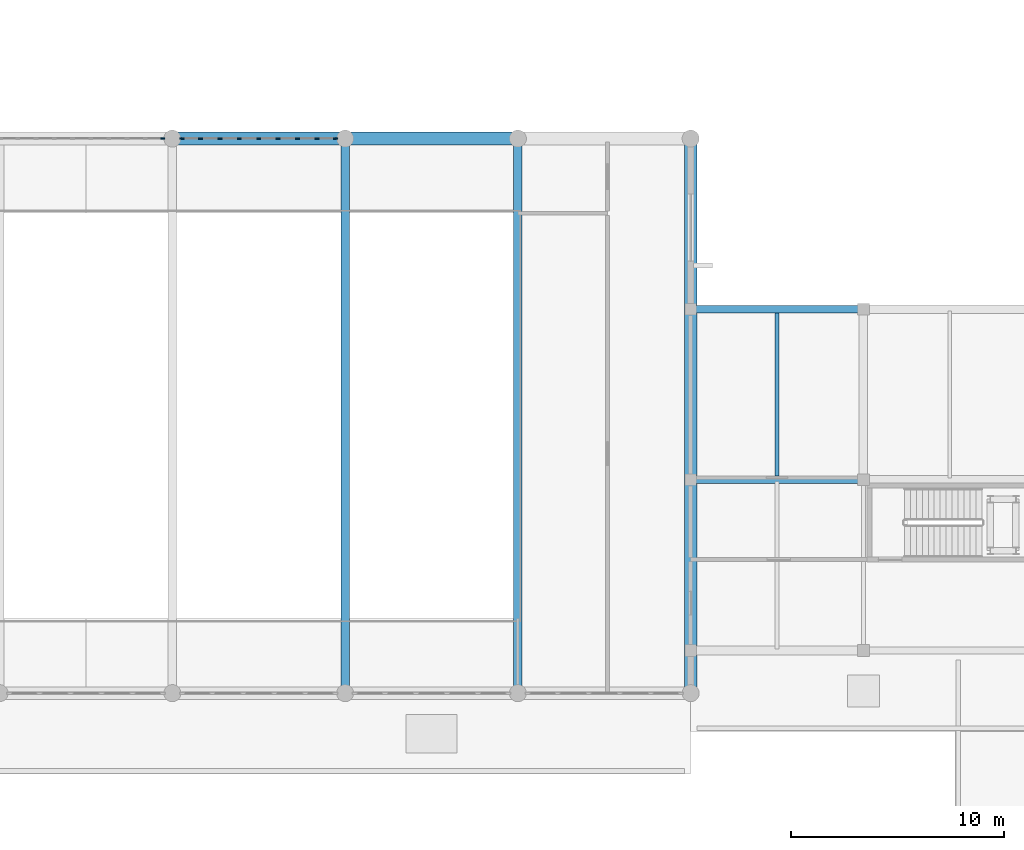
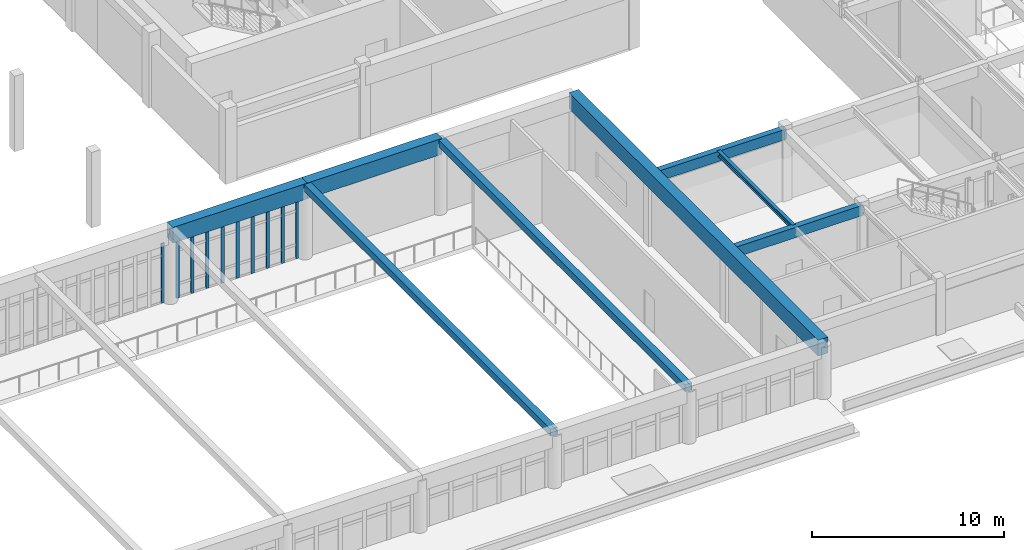
# One storey, part 10 of 61: 10 members, 8 beams, 2 elements without a shape of their own.
"""IFC4 building model written with IfcOpenShell, lengths in metres."""

from ifc_helpers import new_model, si_unit, direction, frame, origin, origin_2d, place, context, subcontext, project, spatial, rectangle, i_section, extrude, material, material_profile, profile_set, type_object, element, aggregate, save


model = new_model("IFC4")

# Units and contexts
model_context = context("Model", 3, precision=1e-05, world=origin(), true_north=direction((0.0, 1.0)))
body_context = subcontext(model_context, "Body", "Model", "MODEL_VIEW")
ifc_project = project(units=[si_unit("LENGTHUNIT", "METRE"), si_unit("AREAUNIT", "SQUARE_METRE"), si_unit("VOLUMEUNIT", "CUBIC_METRE"), si_unit("PLANEANGLEUNIT", "RADIAN"), si_unit("MASSUNIT", "GRAM", prefix="KILO")], contexts=[model_context])

# Site, building, storey
site_placement = place(None, origin())
site = spatial("IfcSite", under=ifc_project, at=site_placement, CompositionType="ELEMENT")
building_placement = place(site_placement, origin())
building = spatial("IfcBuilding", under=site, at=building_placement, Name="Tarnveldt Square Police Headquarters", CompositionType="ELEMENT")
storey_placement = place(building_placement, frame((0.0, 0.0, 5.39990234375)))
storey = spatial("IfcBuildingStorey", under=building, at=storey_placement, Name="L01", CompositionType="ELEMENT", Elevation=5.39990234375)

# Beams
ifc_material_1 = material(Name="Concrete 50 MPa", Category="concrete")
ifc_material_profile_1 = material_profile(ifc_material_1, rectangle(XDim=0.60009765625, YDim=1.0, at=origin_2d()), Name="RC-B600x1000")
ifc_profile_set_1 = profile_set([ifc_material_profile_1], Name="Concrete 50 MPa")
beam_type_1 = type_object("IfcBeamType", Name="BM-RC600x1000", PredefinedType="BEAM", material=ifc_profile_set_1)
beam_1_placement = place(storey_placement, frame((97.199951171875, 48.0, 4.300048828125), z_axis=(1.0, 0.0, 0.0), x_axis=(0.0, 1.0, 0.0)))
element("IfcBeam", 1, at=beam_1_placement, inside=storey, type_object=beam_type_1, Name="Public Entrance Hall Springing Edge Ring Beam N5", PredefinedType="BEAM", context=body_context, shape_type="SweptSolid", body=[
    extrude(rectangle(XDim=0.60009765625, YDim=1.0, at=origin_2d()), origin(), (0.0, 0.0, 1.0), 8.10009765625),
])
beam_2_placement = place(storey_placement, frame((105.300048828125, 48.0, 4.300048828125), z_axis=(1.0, 0.0, 0.0), x_axis=(0.0, 1.0, 0.0)))
element("IfcBeam", 2, at=beam_2_placement, inside=storey, type_object=beam_type_1, Name="Public Entrance Hall Springing Edge Ring Beam N6", PredefinedType="BEAM", context=body_context, shape_type="SweptSolid", body=[
    extrude(rectangle(XDim=0.60009765625, YDim=1.0, at=origin_2d()), origin(), (0.0, 0.0, 1.0), 8.099853515625),
])
beam_3_placement = place(storey_placement, frame((121.5, 22.0, 4.300048828125), z_axis=(0.0, 1.0, 0.0), x_axis=(-1.0, 0.0, 0.0)))
element("IfcBeam", 3, at=beam_3_placement, inside=storey, type_object=beam_type_1, Name="Public Entrance Hall Transverse End Ring Beam E", PredefinedType="BEAM", context=body_context, shape_type="SweptSolid", body=[
    extrude(rectangle(XDim=0.60009765625, YDim=1.0, at=origin_2d()), origin(), (0.0, 0.0, 1.0), 26.0),
])
ifc_material_2 = material(Name="Concrete 40 MPa", Category="concrete")
ifc_material_profile_2 = material_profile(ifc_material_2, rectangle(XDim=0.35009765625, YDim=0.64990234375, at=origin_2d()), Name="RC-SP350x650")
ifc_profile_set_2 = profile_set([ifc_material_profile_2], Name="Concrete 40 MPa")
beam_type_2 = type_object("IfcBeamType", Name="BM-SP350x650", PredefinedType="SPANDREL", material=ifc_profile_set_2)
for number, where, z_axis, x_axis, name in (
    (4, (121.5, 32.0, 4.195068359375), (1.0, 0.0, 0.0), (0.0, 1.0, 0.0), "L02 Grid Girder X-0484"),
    (5, (121.5, 40.0, 4.195068359375), (1.0, 0.0, 0.0), (0.0, 1.0, 0.0), "L02 Grid Girder X-0499"),
):
    element("IfcBeam", number, at=place(storey_placement, frame(where, z_axis=z_axis, x_axis=x_axis)), inside=storey, type_object=beam_type_2, Name=name, PredefinedType="SPANDREL", context=body_context, shape_type="SweptSolid", body=[
        extrude(rectangle(XDim=0.35009765625, YDim=0.64990234375, at=origin_2d()), origin(), (0.0, 0.0, 1.0), 8.10009765625),
    ])
ifc_material_profile_3 = material_profile(ifc_material_2, rectangle(XDim=0.39990234375, YDim=0.449951171875, at=origin_2d()), Name="RC-TIE400x450")
ifc_profile_set_3 = profile_set([ifc_material_profile_3], Name="Concrete 40 MPa")
beam_type_3 = type_object("IfcBeamType", Name="BM-TIE400x450", PredefinedType="USERDEFINED", material=ifc_profile_set_3)
for number, where, z_axis, x_axis, name in (
    (6, (105.300048828125, 22.0, 4.550048828125), (0.0, 1.0, 0.0), (-1.0, 0.0, 0.0), "Public Entrance Hall Vault Springing Tie Beam 6"),
    (7, (113.39990234375, 22.0, 4.550048828125), (0.0, 1.0, 0.0), (-1.0, 0.0, 0.0), "Public Entrance Hall Vault Springing Tie Beam 7"),
):
    element("IfcBeam", number, at=place(storey_placement, frame(where, z_axis=z_axis, x_axis=x_axis)), inside=storey, type_object=beam_type_3, Name=name, ObjectType="TIE BEAM", PredefinedType="USERDEFINED", context=body_context, shape_type="SweptSolid", body=[
        extrude(rectangle(XDim=0.39990234375, YDim=0.449951171875, at=origin_2d()), origin(), (0.0, 0.0, 1.0), 26.0),
    ])
ifc_material_3 = material(Name="Steel 350W", Category="steel")
ifc_material_profile_4 = material_profile(ifc_material_3, i_section(OverallWidth=0.202880859375, OverallDepth=0.302978515625, WebThickness=0.007568359375, FlangeThickness=0.01318359375, FilletRadius=0.014892578125, at=origin_2d()), Name="W310x60")
ifc_profile_set_4 = profile_set([ifc_material_profile_4], Name="Steel 350W")
beam_type_4 = type_object("IfcBeamType", Name="BM-W310x60", PredefinedType="JOIST", material=ifc_profile_set_4)
beam_4_placement = place(storey_placement, frame((125.550048828125, 32.080078125, 4.36865234375), z_axis=(0.0, 1.0, 0.0), x_axis=(-1.0, 0.0, 0.0)))
element("IfcBeam", 8, at=beam_4_placement, inside=storey, type_object=beam_type_4, Name="L02 Secondary Floor Joist 0108", PredefinedType="JOIST", context=body_context, shape_type="SweptSolid", body=[
    extrude(i_section(OverallWidth=0.202880859375, OverallDepth=0.302978515625, WebThickness=0.007568359375, FlangeThickness=0.01318359375, FilletRadius=0.014892578125, at=origin_2d()), origin(), (0.0, 0.0, 1.0), 7.83984375),
])

# Curtain wall, member
ifc_material_4 = material(Name="Triple-glazed low-e laminated vision glass", Category="glass")
curtain_wall_type_1 = type_object("IfcCurtainWallType", Name="CW-CT-769x379", PredefinedType="USERDEFINED", material=ifc_material_4)
curtain_wall_1_placement = place(storey_placement, origin())
curtain_wall_1 = element("IfcCurtainWall", 9, at=curtain_wall_1_placement, inside=storey, type_object=curtain_wall_type_1, Name="L01 Curtain Wall CW-L01-021", ObjectType="GLAZED CURTAIN WALL", PredefinedType="USERDEFINED")
ifc_material_5 = material(Name="Thermally broken anodised aluminium 6063-T6", Category="aluminium")
ifc_material_profile_5 = material_profile(ifc_material_5, rectangle(XDim=0.074951171875, YDim=0.199951171875, at=origin_2d()), Name="CW-M75x200")
ifc_profile_set_5 = profile_set([ifc_material_profile_5], Name="Thermally broken anodised aluminium 6063-T6")
member_type = type_object("IfcMemberType", Name="CWM-75x200", PredefinedType="MULLION", material=ifc_profile_set_5)
member_1_placement = place(storey_placement, frame((96.74755859375, 48.0, 0.0), z_axis=(0.0, 0.0, 1.0), x_axis=(0.0, 1.0, 0.0)))
member_1 = element("IfcMember", 10, at=member_1_placement, type_object=member_type, Name="CW-CT11 mullion 10", PredefinedType="MULLION", context=body_context, shape_type="SweptSolid", body=[
    extrude(rectangle(XDim=0.074951171875, YDim=0.199951171875, at=origin_2d()), origin(), (0.0, 0.0, 1.0), 3.7919921875),
])
aggregate(curtain_wall_1, [member_1])

# Curtain wall, members
curtain_wall_type_2 = type_object("IfcCurtainWallType", Name="CW-CT-727x379", PredefinedType="USERDEFINED", material=ifc_material_4)
curtain_wall_2_placement = place(storey_placement, origin())
curtain_wall_2 = element("IfcCurtainWall", 11, at=curtain_wall_2_placement, inside=storey, type_object=curtain_wall_type_2, Name="L01 Curtain Wall CW-L01-022", ObjectType="GLAZED CURTAIN WALL", PredefinedType="USERDEFINED")
member_2_placement = place(storey_placement, frame((97.652587890625, 48.0, 0.0), z_axis=(0.0, 0.0, 1.0), x_axis=(0.0, 1.0, 0.0)))
member_2 = element("IfcMember", 12, at=member_2_placement, type_object=member_type, Name="CW-CT09 mullion 1", PredefinedType="MULLION", context=body_context, shape_type="SweptSolid", body=[
    extrude(rectangle(XDim=0.074951171875, YDim=0.199951171875, at=origin_2d()), origin(), (0.0, 0.0, 1.0), 3.7919921875),
])
member_3_placement = place(storey_placement, frame((98.523681640625, 48.0, 0.0), z_axis=(0.0, 0.0, 1.0), x_axis=(0.0, 1.0, 0.0)))
member_3 = element("IfcMember", 13, at=member_3_placement, type_object=member_type, Name="CW-CT09 mullion 2", PredefinedType="MULLION", context=body_context, shape_type="SweptSolid", body=[
    extrude(rectangle(XDim=0.074951171875, YDim=0.199951171875, at=origin_2d()), origin(), (0.0, 0.0, 1.0), 3.7919921875),
])
member_4_placement = place(storey_placement, frame((99.4326171875, 48.0, 0.0), z_axis=(0.0, 0.0, 1.0), x_axis=(0.0, 1.0, 0.0)))
member_4 = element("IfcMember", 14, at=member_4_placement, type_object=member_type, Name="CW-CT09 mullion 3", PredefinedType="MULLION", context=body_context, shape_type="SweptSolid", body=[
    extrude(rectangle(XDim=0.074951171875, YDim=0.199951171875, at=origin_2d()), origin(), (0.0, 0.0, 1.0), 3.7919921875),
])
member_5_placement = place(storey_placement, frame((100.34130859375, 48.0, 0.0), z_axis=(0.0, 0.0, 1.0), x_axis=(0.0, 1.0, 0.0)))
member_5 = element("IfcMember", 15, at=member_5_placement, type_object=member_type, Name="CW-CT09 mullion 4", PredefinedType="MULLION", context=body_context, shape_type="SweptSolid", body=[
    extrude(rectangle(XDim=0.074951171875, YDim=0.199951171875, at=origin_2d()), origin(), (0.0, 0.0, 1.0), 3.7919921875),
])
member_6_placement = place(storey_placement, frame((101.25, 48.0, 0.0), z_axis=(0.0, 0.0, 1.0), x_axis=(0.0, 1.0, 0.0)))
member_6 = element("IfcMember", 16, at=member_6_placement, type_object=member_type, Name="CW-CT09 mullion 5", PredefinedType="MULLION", context=body_context, shape_type="SweptSolid", body=[
    extrude(rectangle(XDim=0.074951171875, YDim=0.199951171875, at=origin_2d()), origin(), (0.0, 0.0, 1.0), 3.7919921875),
])
member_7_placement = place(storey_placement, frame((102.15869140625, 48.0, 0.0), z_axis=(0.0, 0.0, 1.0), x_axis=(0.0, 1.0, 0.0)))
member_7 = element("IfcMember", 17, at=member_7_placement, type_object=member_type, Name="CW-CT09 mullion 6", PredefinedType="MULLION", context=body_context, shape_type="SweptSolid", body=[
    extrude(rectangle(XDim=0.074951171875, YDim=0.199951171875, at=origin_2d()), origin(), (0.0, 0.0, 1.0), 3.7919921875),
])
member_8_placement = place(storey_placement, frame((103.0673828125, 48.0, 0.0), z_axis=(0.0, 0.0, 1.0), x_axis=(0.0, 1.0, 0.0)))
member_8 = element("IfcMember", 18, at=member_8_placement, type_object=member_type, Name="CW-CT09 mullion 7", PredefinedType="MULLION", context=body_context, shape_type="SweptSolid", body=[
    extrude(rectangle(XDim=0.074951171875, YDim=0.199951171875, at=origin_2d()), origin(), (0.0, 0.0, 1.0), 3.7919921875),
])
member_9_placement = place(storey_placement, frame((103.976318359375, 48.0, 0.0), z_axis=(0.0, 0.0, 1.0), x_axis=(0.0, 1.0, 0.0)))
member_9 = element("IfcMember", 19, at=member_9_placement, type_object=member_type, Name="CW-CT09 mullion 8", PredefinedType="MULLION", context=body_context, shape_type="SweptSolid", body=[
    extrude(rectangle(XDim=0.074951171875, YDim=0.199951171875, at=origin_2d()), origin(), (0.0, 0.0, 1.0), 3.7919921875),
])
member_10_placement = place(storey_placement, frame((104.847412109375, 48.0, 0.0), z_axis=(0.0, 0.0, 1.0), x_axis=(0.0, 1.0, 0.0)))
member_10 = element("IfcMember", 20, at=member_10_placement, type_object=member_type, Name="CW-CT09 mullion 9", PredefinedType="MULLION", context=body_context, shape_type="SweptSolid", body=[
    extrude(rectangle(XDim=0.074951171875, YDim=0.199951171875, at=origin_2d()), origin(), (0.0, 0.0, 1.0), 3.7919921875),
])
aggregate(curtain_wall_2, [member_2, member_3, member_4, member_5, member_6, member_7, member_8, member_9, member_10])

save(model, "model.ifc")
